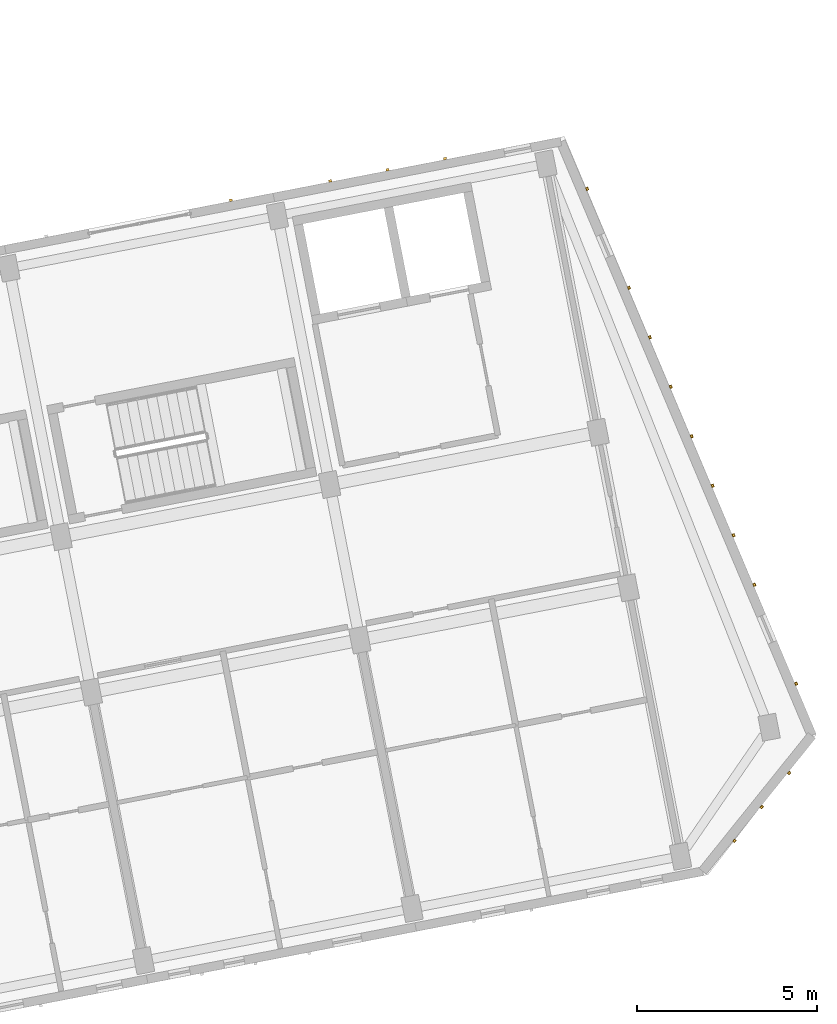
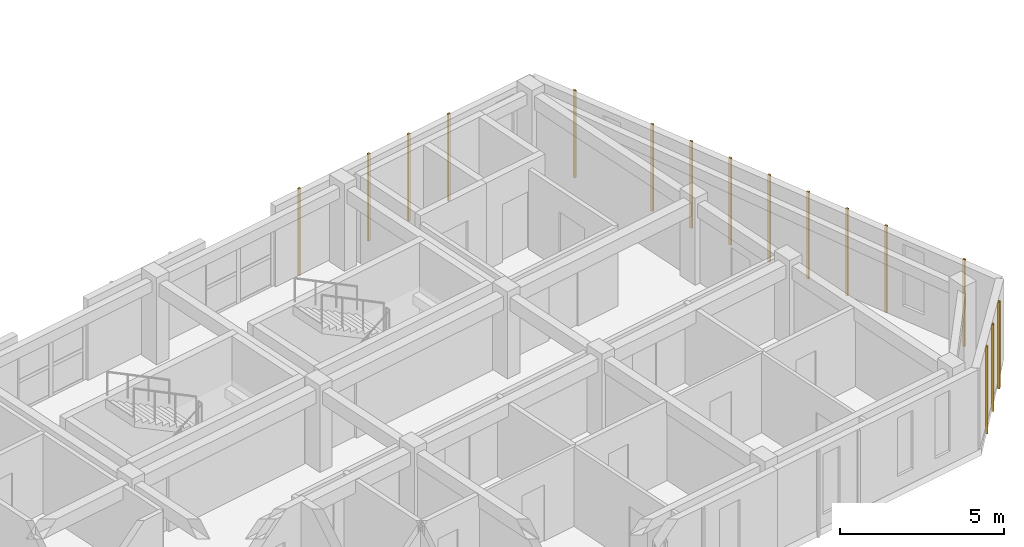
# One storey, part 121 of 127: 16 coverings.
"""IFC4 building model written with IfcOpenShell, lengths in metres."""

from ifc_helpers import new_model, si_unit, direction, frame, origin, origin_2d, place, context, subcontext, project, spatial, rectangle, extrude, material, layer, layer_set, type_object, element, save


model = new_model("IFC4")

# Units and contexts
model_context = context("Model", 3, precision=1e-05, world=origin(), true_north=direction((0.0, 1.0)))
body_context = subcontext(model_context, "Body", "Model", "MODEL_VIEW")
ifc_project = project(units=[si_unit("LENGTHUNIT", "METRE"), si_unit("AREAUNIT", "SQUARE_METRE"), si_unit("VOLUMEUNIT", "CUBIC_METRE"), si_unit("PLANEANGLEUNIT", "RADIAN"), si_unit("MASSUNIT", "GRAM", prefix="KILO")], contexts=[model_context])

# Site, building, storey
site_placement = place(None, origin())
site = spatial("IfcSite", under=ifc_project, at=site_placement, CompositionType="ELEMENT")
building_placement = place(site_placement, origin())
building = spatial("IfcBuilding", under=site, at=building_placement, Name="Kestramere Prow Commons", CompositionType="ELEMENT")
storey_placement = place(building_placement, frame((0.0, 0.0, 8.39990234375)))
storey = spatial("IfcBuildingStorey", under=building, at=storey_placement, Name="L02", CompositionType="ELEMENT", Elevation=8.39990234375)

# Coverings
ifc_material = material(Name="Weathered Zinc-Titanium Standing-Seam Cladding")
ifc_layer = layer(ifc_material, 0.074951171875)
ifc_layer_set = layer_set([ifc_layer], Name="Weathered Zinc-Titanium Standing-Seam Cladding")
covering_type = type_object("IfcCoveringType", Name="COV-CLAD-SEAM", PredefinedType="CLADDING", material=ifc_layer_set)
for number, where, z_axis, x_axis, name in (
    (1, (150.6669921875, 60.92919921875, -0.25), (0.0, 0.0, 1.0), (0.981627183448, 0.190808995377, 0.0), "EW-D-L02-NP-4-R Standing-Seam Rib 1"),
    (2, (153.427734375, 61.4658203125, -0.25), (0.0, 0.0, 1.0), (0.981627183448, 0.190808995377, 0.0), "EW-D-L02-N-5 Standing-Seam Rib 1"),
    (3, (155.02294921875, 61.77587890625, -0.25), (0.0, 0.0, 1.0), (0.981627183448, 0.190808995377, 0.0), "EW-D-L02-N-5 Standing-Seam Rib 2"),
    (4, (156.6181640625, 62.0859375, -0.25), (0.0, 0.0, 1.0), (0.981627183448, 0.190808995377, 0.0), "EW-D-L02-N-5 Standing-Seam Rib 3"),
    (5, (160.568115234375, 61.24462890625, -0.25), (0.0, 0.0, 1.0), (0.389220414317, -0.92114465155, 0.0), "EW-D-L02-PRW-N Standing-Seam Rib 1"),
    (6, (161.72998046875, 58.4951171875, -0.25), (0.0, 0.0, 1.0), (0.389220414317, -0.92114465155, 0.0), "EW-D-L02-PRW-N Standing-Seam Rib 3"),
    (7, (162.310791015625, 57.1201171875, -0.25), (0.0, 0.0, 1.0), (0.389220414317, -0.92114465155, 0.0), "EW-D-L02-PRW-N Standing-Seam Rib 4"),
    (8, (162.891845703125, 55.745361328125, -0.25), (0.0, 0.0, 1.0), (0.389220414317, -0.92114465155, 0.0), "EW-D-L02-PRW-N Standing-Seam Rib 5"),
    (9, (163.47265625, 54.37060546875, -0.25), (0.0, 0.0, 1.0), (0.389220414317, -0.92114465155, 0.0), "EW-D-L02-PRW-N Standing-Seam Rib 6"),
    (10, (164.0537109375, 52.995849609375, -0.25), (0.0, 0.0, 1.0), (0.389220414317, -0.92114465155, 0.0), "EW-D-L02-PRW-N Standing-Seam Rib 7"),
    (11, (164.634521484375, 51.620849609375, -0.25), (0.0, 0.0, 1.0), (0.389220414317, -0.92114465155, 0.0), "EW-D-L02-PRW-N Standing-Seam Rib 8"),
    (12, (165.215576171875, 50.24609375, -0.25), (0.0, 0.0, 1.0), (0.389220414317, -0.92114465155, 0.0), "EW-D-L02-PRW-N Standing-Seam Rib 9"),
    (13, (166.37744140625, 47.496337890625, -0.25), (0.0, 0.0, 1.0), (0.389220414317, -0.92114465155, 0.0), "EW-D-L02-PRW-N Standing-Seam Rib 11"),
    (14, (166.177490234375, 45.013427734375, -0.25), (0.0, 0.0, 1.0), (-0.626297717754, -0.779583971575, 0.0), "EW-D-L02-PRW-S Standing-Seam Rib 1"),
    (15, (165.419921875, 44.0703125, -0.25), (0.0, 0.0, 1.0), (-0.626297717754, -0.779583971575, 0.0), "EW-D-L02-PRW-S Standing-Seam Rib 2"),
    (16, (164.662109375, 43.127197265625, -0.25), (0.0, 0.0, 1.0), (-0.626297717754, -0.779583971575, 0.0), "EW-D-L02-PRW-S Standing-Seam Rib 3"),
):
    element("IfcCovering", number, at=place(storey_placement, frame(where, z_axis=z_axis, x_axis=x_axis)), inside=storey, type_object=covering_type, Name=name, PredefinedType="CLADDING", context=body_context, shape_type="SweptSolid", body=[
        extrude(rectangle(XDim=0.0849609375, YDim=0.06494140625, at=origin_2d()), origin(), (0.0, 0.0, 1.0), 3.25),
    ])

save(model, "model.ifc")
